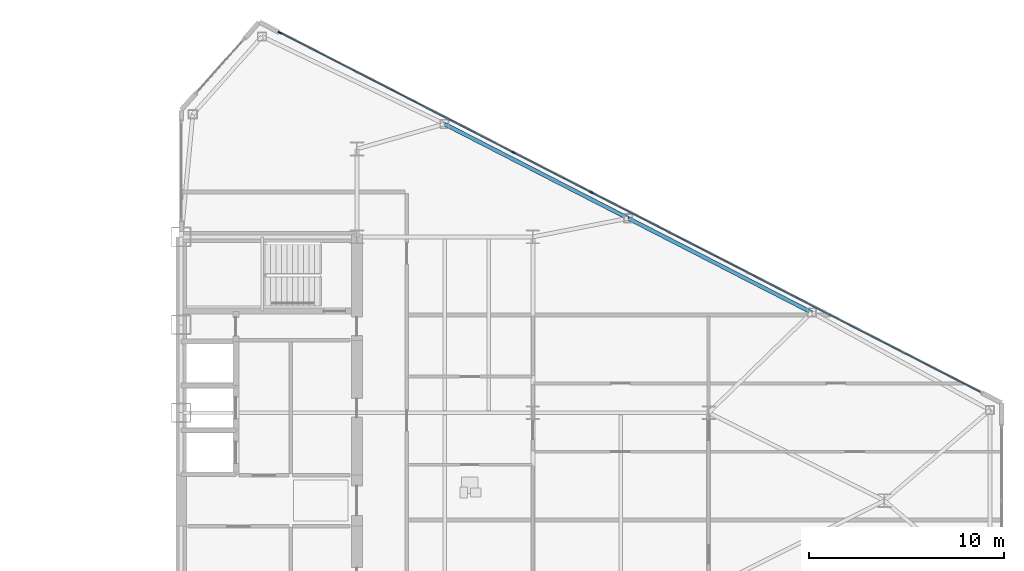
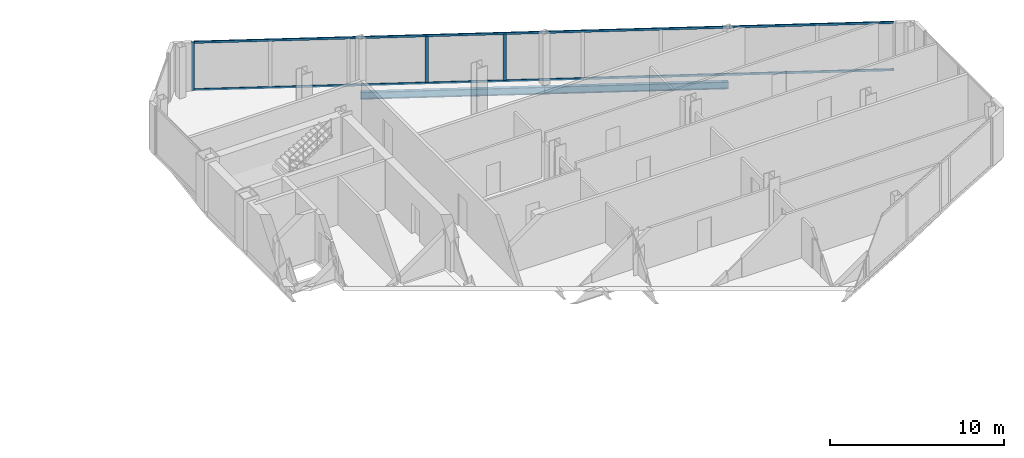
# One storey, part 12 of 23: 5 members, 2 beams, 1 element without a shape of its own.
"""IFC4 building model written with IfcOpenShell, lengths in metres."""

from ifc_helpers import new_model, si_unit, direction, frame, origin, origin_2d, place, context, subcontext, project, spatial, rectangle, i_section, extrude, source, transform, mapped, material, layer, layer_set, material_profile, profile_set, type_object, type_shapes, element, aggregate, save


model = new_model("IFC4")

# Units and contexts
model_context = context("Model", 3, precision=1e-05, world=origin(), true_north=direction((0.0, 1.0)))
body_context = subcontext(model_context, "Body", "Model", "MODEL_VIEW")
ifc_project = project(units=[si_unit("LENGTHUNIT", "METRE"), si_unit("AREAUNIT", "SQUARE_METRE"), si_unit("VOLUMEUNIT", "CUBIC_METRE"), si_unit("PLANEANGLEUNIT", "RADIAN"), si_unit("MASSUNIT", "GRAM", prefix="KILO")], contexts=[model_context])

# Site, building, storey
site_placement = place(None, origin())
site = spatial("IfcSite", under=ifc_project, at=site_placement, CompositionType="ELEMENT")
building_placement = place(site_placement, origin())
building = spatial("IfcBuilding", under=site, at=building_placement, Name="Seokmaru Belvedere", CompositionType="ELEMENT")
storey_placement = place(building_placement, frame((0.0, 0.0, 144.0)))
storey = spatial("IfcBuildingStorey", under=building, at=storey_placement, Name="L38", CompositionType="ELEMENT", Elevation=144.0)

# Beams
ifc_material_1 = material(Name="Steel SM355 (355 MPa)", Category="steel")
ifc_material_profile_1 = material_profile(ifc_material_1, i_section(OverallWidth=0.199951171875, OverallDepth=0.5, WebThickness=0.010009765625, FlangeThickness=0.01611328125, at=origin_2d()), Name="H-500x200x10x16")
ifc_profile_set_1 = profile_set([ifc_material_profile_1], Name="Steel SM355 (355 MPa)")
beam_type = type_object("IfcBeamType", Name="Perimeter Spandrel Beam H-500", PredefinedType="SPANDREL", material=ifc_profile_set_1)
shared_shape_1 = source(origin(), body_context, "Body", "SweptSolid", [
    extrude(i_section(OverallWidth=0.199951171875, OverallDepth=0.5, WebThickness=0.010009765625, FlangeThickness=0.01611328125, at=origin_2d()), origin(), (0.0, 0.0, 1.0), 10.56689453125),
])
type_shapes(beam_type, [shared_shape_1])
for number, where, z_axis, x_axis, name in (
    (1, (40.975830078125, 19.277587890625, -0.469970703125), (0.889701972758, -0.45654178305, 0.0), (0.45654178305, 0.889701972758, 0.0), "L38 E Faceted Flank Spandrel N-2"),
    (2, (50.377197265625, 14.453369140625, -0.469970703125), (0.889692588006, -0.456560071455, 0.0), (0.456560071455, 0.889692588006, 0.0), "L38 E Faceted Flank Spandrel N-3"),
):
    element("IfcBeam", number, at=place(storey_placement, frame(where, z_axis=z_axis, x_axis=x_axis)), inside=storey, type_object=beam_type, Name=name, PredefinedType="SPANDREL", context=body_context, shape_type="MappedRepresentation", body=[
        mapped(shared_shape_1, transform((0.0, 0.0, 0.0), scale=1.0)),
    ])

# Curtain wall, members
ifc_material_2 = material(Name="Bronze Triple Insulating Glass", Category="glass")
ifc_layer = layer(ifc_material_2, 0.195068359375)
ifc_layer_set = layer_set([ifc_layer], Name="Bronze Triple Insulating Glass")
curtain_wall_type = type_object("IfcCurtainWallType", Name="Sky-Lobby and Mid-Rise Curtain Wall System CW-4", PredefinedType="NOTDEFINED", material=ifc_layer_set)
curtain_wall_placement = place(storey_placement, origin())
curtain_wall = element("IfcCurtainWall", 3, at=curtain_wall_placement, inside=storey, type_object=curtain_wall_type, Name="L38 Curtain Wall EF3", PredefinedType="NOTDEFINED")
ifc_material_3 = material(Name="Anodised Bronze Aluminium", Category="aluminium")
ifc_material_profile_2 = material_profile(ifc_material_3, rectangle(XDim=0.070068359375, YDim=0.195068359375, at=origin_2d()), Name="CW-M-70x195")
ifc_profile_set_2 = profile_set([ifc_material_profile_2], Name="Anodised Bronze Aluminium")
member_type_1 = type_object("IfcMemberType", Name="Bronze Unitised Mullion 70x195", PredefinedType="MULLION", material=ifc_profile_set_2)
shared_shape_2 = source(origin(), body_context, "Body", "SweptSolid", [
    extrude(rectangle(XDim=0.070068359375, YDim=0.195068359375, at=origin_2d()), origin(), (0.0, 0.0, 1.0), 3.3798828125),
])
member_1_placement = place(storey_placement, frame((32.55419921875, 23.958984375, 0.0), z_axis=(0.0, 0.0, 1.0), x_axis=(-0.456554528263, -0.889695432562, 0.0)))
member_1 = element("IfcMember", 4, at=member_1_placement, type_object=member_type_1, Name="CW:L38:EF3 Mullion 10", PredefinedType="MULLION", context=body_context, shape_type="MappedRepresentation", body=[
    mapped(shared_shape_2, transform((0.0, 0.0, 0.0), scale=1.0)),
])
shared_shape_3 = source(origin(), body_context, "Body", "SweptSolid", [
    extrude(rectangle(XDim=0.070068359375, YDim=0.195068359375, at=origin_2d()), origin(), (0.0, 0.0, 1.0), 3.25),
])
type_shapes(member_type_1, [shared_shape_2, shared_shape_3])
member_2_placement = place(storey_placement, frame((48.502685546875, 15.77490234375, 0.06494140625), z_axis=(0.0, 0.0, 1.0), x_axis=(-0.456554528263, -0.889695432562, 0.0)))
member_2 = element("IfcMember", 5, at=member_2_placement, type_object=member_type_1, Name="CW:L38:EF3 Mullion 6", PredefinedType="MULLION", context=body_context, shape_type="MappedRepresentation", body=[
    mapped(shared_shape_3, transform((0.0, 0.0, 0.0), scale=1.0)),
])
member_3_placement = place(storey_placement, frame((44.5078125, 17.824951171875, 0.06494140625), z_axis=(0.0, 0.0, 1.0), x_axis=(-0.456554528263, -0.889695432562, 0.0)))
member_3 = element("IfcMember", 6, at=member_3_placement, type_object=member_type_1, Name="CW:L38:EF3 Mullion 7", PredefinedType="MULLION", context=body_context, shape_type="MappedRepresentation", body=[
    mapped(shared_shape_3, transform((0.0, 0.0, 0.0), scale=1.0)),
])
ifc_material_profile_3 = material_profile(ifc_material_3, rectangle(XDim=0.06494140625, YDim=0.14990234375, at=origin_2d()), Name="CW-T-65x150")
ifc_profile_set_3 = profile_set([ifc_material_profile_3], Name="Anodised Bronze Aluminium")
member_type_2 = type_object("IfcMemberType", Name="Bronze Unitised Transom 65x150", PredefinedType="USERDEFINED", material=ifc_profile_set_3)
shared_shape_4 = source(origin(), body_context, "Body", "SweptSolid", [
    extrude(rectangle(XDim=0.06494140625, YDim=0.14990234375, at=origin_2d()), origin(), (0.0, 0.0, 1.0), 40.271240234375),
])
type_shapes(member_type_2, [shared_shape_4])
member_4_placement = place(storey_placement, frame((68.41455078125, 5.556884765625, 0.032470703125), z_axis=(-0.889693089107, 0.456559094965, 0.0), x_axis=(-0.456559094965, -0.889693089107, 0.0)))
member_4 = element("IfcMember", 7, at=member_4_placement, type_object=member_type_2, Name="CW:L38:EF3 Continuous Transom 1", ObjectType="TRANSOM", PredefinedType="USERDEFINED", context=body_context, shape_type="MappedRepresentation", body=[
    mapped(shared_shape_4, transform((0.0, 0.0, 0.0), scale=1.0)),
])
member_5_placement = place(storey_placement, frame((68.41455078125, 5.556884765625, 3.347412109375), z_axis=(-0.889693089107, 0.456559094965, 0.0), x_axis=(-0.456559094965, -0.889693089107, 0.0)))
member_5 = element("IfcMember", 8, at=member_5_placement, type_object=member_type_2, Name="CW:L38:EF3 Continuous Transom 2", ObjectType="TRANSOM", PredefinedType="USERDEFINED", context=body_context, shape_type="MappedRepresentation", body=[
    mapped(shared_shape_4, transform((0.0, 0.0, 0.0), scale=1.0)),
])
aggregate(curtain_wall, [member_2, member_3, member_1, member_4, member_5])

save(model, "model.ifc")
